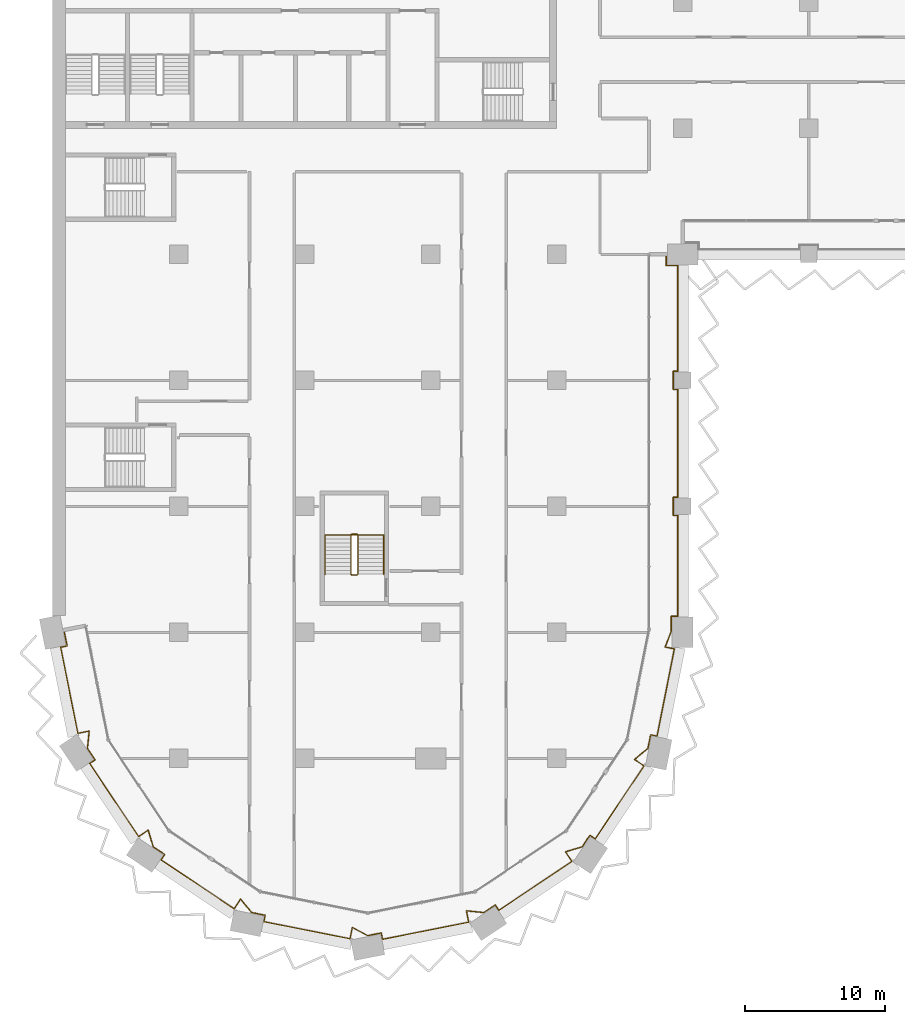
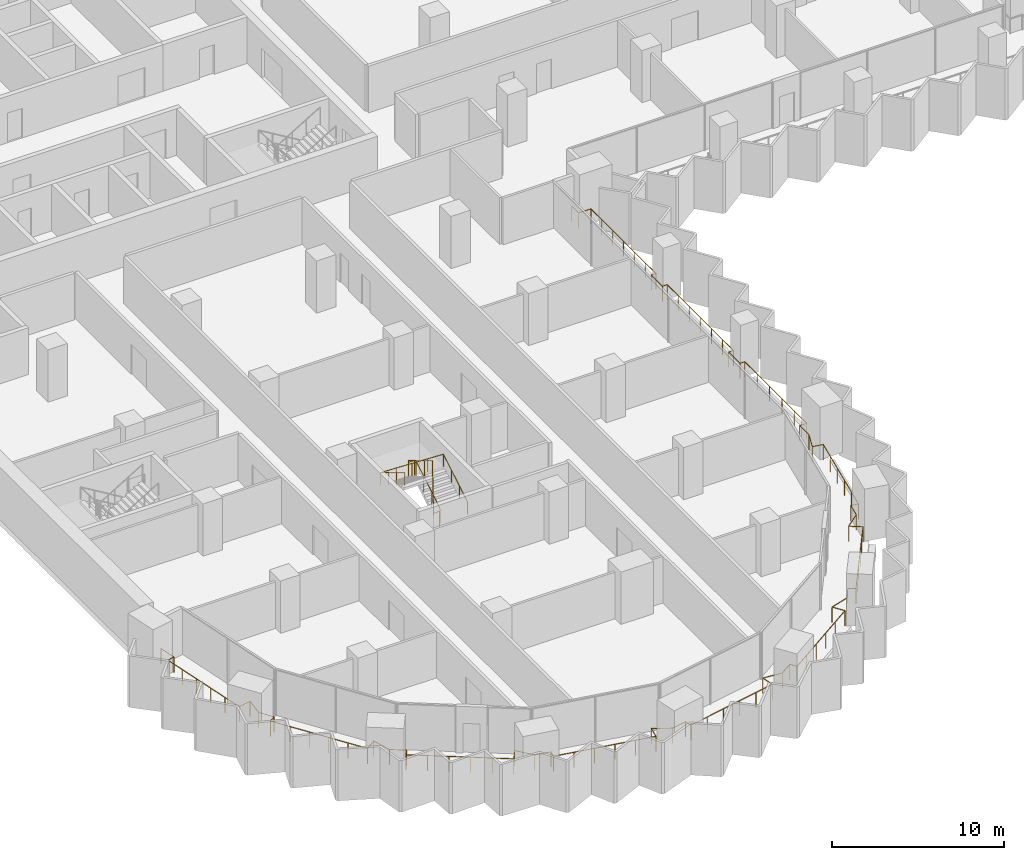
# One storey, part 19 of 22: 3 railings.
"""IFC4 building model written with IfcOpenShell, lengths in metres."""

from ifc_helpers import new_model, si_unit, direction, frame, origin, origin_2d, place, context, subcontext, project, spatial, circle, extrude, material, type_object, element, save


model = new_model("IFC4")

# Units and contexts
model_context = context("Model", 3, precision=1e-05, world=origin(), true_north=direction((0.0, 1.0)))
body_context = subcontext(model_context, "Body", "Model", "MODEL_VIEW")
ifc_project = project(units=[si_unit("LENGTHUNIT", "METRE"), si_unit("AREAUNIT", "SQUARE_METRE"), si_unit("VOLUMEUNIT", "CUBIC_METRE"), si_unit("PLANEANGLEUNIT", "RADIAN"), si_unit("MASSUNIT", "GRAM", prefix="KILO")], contexts=[model_context])

# Site, building, storey
site_placement = place(None, origin())
site = spatial("IfcSite", under=ifc_project, at=site_placement, CompositionType="ELEMENT")
building_placement = place(site_placement, origin())
building = spatial("IfcBuilding", under=site, at=building_placement, Name="Hunhe Ridgeline Campus", CompositionType="ELEMENT")
storey_placement = place(building_placement, frame((0.0, 0.0, 118.10009765625)))
storey = spatial("IfcBuildingStorey", under=building, at=storey_placement, Name="L29", CompositionType="ELEMENT", Elevation=118.10009765625)

# Railings
ifc_material_1 = material(Name="Steel Q355", Category="steel")
railing_type_1 = type_object("IfcRailingType", Name="Loggia guard 1100 Steel Q355", PredefinedType="GUARDRAIL", material=ifc_material_1)
railing_1_placement = place(storey_placement, frame((0.80419921875, 27.159912109375, 0.0)))
element("IfcRailing", 1, at=railing_1_placement, inside=storey, type_object=railing_type_1, Name="Loggia guard 1", PredefinedType="GUARDRAIL", context=body_context, shape_type="SweptSolid", body=[
    extrude(circle(Radius=0.02392578125, at=origin_2d()), frame((0.0, 0.0, 1.076171875), z_axis=(0.195095399255, -0.980784270464, 0.0), x_axis=(0.980784270464, 0.195095399255, 0.0)), (0.0, 0.0, 1.0), 1.150146484375),
    extrude(circle(Radius=0.02392578125, at=origin_2d()), frame((0.224365234375, -1.1279296875, 1.076171875), z_axis=(-0.980839571814, -0.194817181902, 0.0), x_axis=(0.194817181902, -0.980839571814, 0.0)), (0.0, 0.0, 1.0), 0.469970703125),
    extrude(circle(Radius=0.02392578125, at=origin_2d()), frame((-0.236572265625, -1.219482421875, 1.076171875), z_axis=(0.195091122585, -0.98078512116, 0.0), x_axis=(0.98078512116, 0.195091122585, 0.0)), (0.0, 0.0, 1.0), 6.27587890625),
    extrude(circle(Radius=0.02392578125, at=origin_2d()), frame((0.98779296875, -7.374755859375, 1.076171875), z_axis=(0.980805242724, 0.194989937807, 0.0), x_axis=(-0.194989937807, 0.980805242724, 0.0)), (0.0, 0.0, 1.0), 0.833984375),
    extrude(circle(Radius=0.02392578125, at=origin_2d()), frame((1.8056640625, -7.212158203125, 1.076171875), z_axis=(-0.10024174874, -0.994963110778, 0.0), x_axis=(0.994963110778, -0.10024174874, 0.0)), (0.0, 0.0, 1.0), 1.24462890625),
    extrude(circle(Radius=0.02392578125, at=origin_2d()), frame((1.680908203125, -8.450439453125, 1.076171875), z_axis=(0.555613261421, -0.831440860034, 0.0), x_axis=(0.831440860034, 0.555613261421, 0.0)), (0.0, 0.0, 1.0), 0.98681640625),
    extrude(circle(Radius=0.02392578125, at=origin_2d()), frame((2.229248046875, -9.27099609375, 1.076171875), z_axis=(-0.831650496226, -0.55529942565, 0.0), x_axis=(0.55529942565, -0.831650496226, 0.0)), (0.0, 0.0, 1.0), 0.469970703125),
    extrude(circle(Radius=0.02392578125, at=origin_2d()), frame((1.83837890625, -9.531982421875, 1.076171875), z_axis=(0.55555274607, -0.831481296443, 0.0), x_axis=(0.831481296443, 0.55555274607, 0.0)), (0.0, 0.0, 1.0), 6.27587890625),
    extrude(circle(Radius=0.02392578125, at=origin_2d()), frame((5.324951171875, -14.750244140625, 1.076171875), z_axis=(0.831419211319, 0.555645656016, 0.0), x_axis=(-0.555645656016, 0.831419211319, 0.0)), (0.0, 0.0, 1.0), 0.833984375),
    extrude(circle(Radius=0.02392578125, at=origin_2d()), frame((6.018310546875, -14.286865234375, 1.076171875), z_axis=(0.288373576958, -0.957517979002, 0.0), x_axis=(0.957517979002, 0.288373576958, 0.0)), (0.0, 0.0, 1.0), 1.24462890625),
    extrude(circle(Radius=0.02392578125, at=origin_2d()), frame((6.377197265625, -15.478515625, 1.076171875), z_axis=(0.831440860034, -0.555613261421, 0.0), x_axis=(0.555613261421, 0.831440860034, 0.0)), (0.0, 0.0, 1.0), 0.98681640625),
    extrude(circle(Radius=0.02392578125, at=origin_2d()), frame((7.19775390625, -16.02685546875, 1.076171875), z_axis=(-0.555658548717, -0.831410594856, 0.0), x_axis=(0.831410594856, -0.555658548717, 0.0)), (0.0, 0.0, 1.0), 0.47021484375),
    extrude(circle(Radius=0.02392578125, at=origin_2d()), frame((6.9365234375, -16.417724609375, 1.076171875), z_axis=(0.831469289337, -0.555570716372, 0.0), x_axis=(0.555570716372, 0.831469289337, 0.0)), (0.0, 0.0, 1.0), 6.275634765625),
    extrude(circle(Radius=0.02392578125, at=origin_2d()), frame((12.154541015625, -19.904296875, 1.076171875), z_axis=(0.555645656016, 0.831419211319, 0.0), x_axis=(-0.831419211319, 0.555645656016, 0.0)), (0.0, 0.0, 1.0), 0.833984375),
    extrude(circle(Radius=0.02392578125, at=origin_2d()), frame((12.617919921875, -19.2109375, 1.076171875), z_axis=(0.632628709191, -0.774455238414, 0.0), x_axis=(0.774455238414, 0.632628709191, 0.0)), (0.0, 0.0, 1.0), 1.24462890625),
    extrude(circle(Radius=0.02392578125, at=origin_2d()), frame((13.4052734375, -20.1748046875, 1.076171875), z_axis=(0.980770488785, -0.195164669773, 0.0), x_axis=(0.195164669773, 0.980770488785, 0.0)), (0.0, 0.0, 1.0), 0.987060546875),
    extrude(circle(Radius=0.02392578125, at=origin_2d()), frame((14.373291015625, -20.367431640625, 1.076171875), z_axis=(-0.195316901017, -0.980740183829, 0.0), x_axis=(0.980740183829, -0.195316901017, 0.0)), (0.0, 0.0, 1.0), 0.469970703125),
    extrude(circle(Radius=0.02392578125, at=origin_2d()), frame((14.281494140625, -20.828369140625, 1.076171875), z_axis=(0.98078512116, -0.195091122585, 0.0), x_axis=(0.195091122585, 0.98078512116, 0.0)), (0.0, 0.0, 1.0), 6.27587890625),
    extrude(circle(Radius=0.02392578125, at=origin_2d()), frame((20.436767578125, -22.052734375, 1.076171875), z_axis=(0.194989937807, 0.980805242724, 0.0), x_axis=(-0.980805242724, 0.194989937807, 0.0)), (0.0, 0.0, 1.0), 0.833984375),
    extrude(circle(Radius=0.02392578125, at=origin_2d()), frame((20.599365234375, -21.23486328125, 1.076171875), z_axis=(0.880980801229, -0.473152013486, 0.0), x_axis=(0.473152013486, 0.880980801229, 0.0)), (0.0, 0.0, 1.0), 1.24462890625),
    extrude(circle(Radius=0.02392578125, at=origin_2d()), frame((21.69580078125, -21.82373046875, 1.076171875), z_axis=(0.98081780924, 0.194926717196, 0.0), x_axis=(-0.194926717196, 0.98081780924, 0.0)), (0.0, 0.0, 1.0), 0.987060546875),
    extrude(circle(Radius=0.02392578125, at=origin_2d()), frame((22.663818359375, -21.63134765625, 1.076171875), z_axis=(0.194817181902, -0.980839571814, 0.0), x_axis=(0.980839571814, 0.194817181902, 0.0)), (0.0, 0.0, 1.0), 0.469970703125),
    extrude(circle(Radius=0.02392578125, at=origin_2d()), frame((22.75537109375, -22.09228515625, 1.076171875), z_axis=(0.98078512116, 0.195091122585, 0.0), x_axis=(-0.195091122585, 0.98078512116, 0.0)), (0.0, 0.0, 1.0), 6.27587890625),
    extrude(circle(Radius=0.02392578125, at=origin_2d()), frame((28.91064453125, -20.867919921875, 1.076171875), z_axis=(-0.194989937807, 0.980805242724, 0.0), x_axis=(-0.980805242724, -0.194989937807, 0.0)), (0.0, 0.0, 1.0), 0.833984375),
    extrude(circle(Radius=0.02392578125, at=origin_2d()), frame((28.748046875, -20.050048828125, 1.076171875), z_axis=(0.994963110778, -0.10024174874, 0.0), x_axis=(0.10024174874, 0.994963110778, 0.0)), (0.0, 0.0, 1.0), 1.24462890625),
    extrude(circle(Radius=0.02392578125, at=origin_2d()), frame((29.986328125, -20.1748046875, 1.076171875), z_axis=(0.831440860034, 0.555613261421, 0.0), x_axis=(-0.555613261421, 0.831440860034, 0.0)), (0.0, 0.0, 1.0), 0.98681640625),
    extrude(circle(Radius=0.02392578125, at=origin_2d()), frame((30.806884765625, -19.62646484375, 1.076171875), z_axis=(0.55529942565, -0.831650496226, 0.0), x_axis=(0.831650496226, 0.55529942565, 0.0)), (0.0, 0.0, 1.0), 0.469970703125),
    extrude(circle(Radius=0.02392578125, at=origin_2d()), frame((31.06787109375, -20.017333984375, 1.076171875), z_axis=(0.831481296443, 0.55555274607, 0.0), x_axis=(-0.55555274607, 0.831481296443, 0.0)), (0.0, 0.0, 1.0), 6.27587890625),
    extrude(circle(Radius=0.02392578125, at=origin_2d()), frame((36.2861328125, -16.53076171875, 1.076171875), z_axis=(-0.555645656016, 0.831419211319, 0.0), x_axis=(-0.831419211319, -0.555645656016, 0.0)), (0.0, 0.0, 1.0), 0.833984375),
    extrude(circle(Radius=0.02392578125, at=origin_2d()), frame((35.82275390625, -15.83740234375, 1.076171875), z_axis=(0.957517979002, 0.288373576958, 0.0), x_axis=(-0.288373576958, 0.957517979002, 0.0)), (0.0, 0.0, 1.0), 1.24462890625),
    extrude(circle(Radius=0.02392578125, at=origin_2d()), frame((37.014404296875, -15.478515625, 1.076171875), z_axis=(0.555613261421, 0.831440860034, 0.0), x_axis=(-0.831440860034, 0.555613261421, 0.0)), (0.0, 0.0, 1.0), 0.98681640625),
    extrude(circle(Radius=0.02392578125, at=origin_2d()), frame((37.562744140625, -14.657958984375, 1.076171875), z_axis=(0.831410594856, -0.555658548717, 0.0), x_axis=(0.555658548717, 0.831410594856, 0.0)), (0.0, 0.0, 1.0), 0.47021484375),
    extrude(circle(Radius=0.02392578125, at=origin_2d()), frame((37.95361328125, -14.919189453125, 1.076171875), z_axis=(0.555570716372, 0.831469289337, 0.0), x_axis=(-0.831469289337, 0.555570716372, 0.0)), (0.0, 0.0, 1.0), 6.275634765625),
    extrude(circle(Radius=0.02392578125, at=origin_2d()), frame((41.440185546875, -9.701171875, 1.076171875), z_axis=(-0.831419211319, 0.555645656016, 0.0), x_axis=(-0.555645656016, -0.831419211319, 0.0)), (0.0, 0.0, 1.0), 0.833984375),
    extrude(circle(Radius=0.02392578125, at=origin_2d()), frame((40.746826171875, -9.23779296875, 1.076171875), z_axis=(0.774455238414, 0.632628709191, 0.0), x_axis=(-0.632628709191, 0.774455238414, 0.0)), (0.0, 0.0, 1.0), 1.24462890625),
    extrude(circle(Radius=0.02392578125, at=origin_2d()), frame((41.710693359375, -8.450439453125, 1.076171875), z_axis=(0.195164669773, 0.980770488785, 0.0), x_axis=(-0.980770488785, 0.195164669773, 0.0)), (0.0, 0.0, 1.0), 0.987060546875),
    extrude(circle(Radius=0.02392578125, at=origin_2d()), frame((41.9033203125, -7.482421875, 1.076171875), z_axis=(0.980740183829, -0.195316901017, 0.0), x_axis=(0.195316901017, 0.980740183829, 0.0)), (0.0, 0.0, 1.0), 0.469970703125),
    extrude(circle(Radius=0.02392578125, at=origin_2d()), frame((42.3642578125, -7.57421875, 1.076171875), z_axis=(0.195074166836, 0.98078849373, 0.0), x_axis=(-0.98078849373, 0.195074166836, 0.0)), (0.0, 0.0, 1.0), 6.35400390625),
    extrude(circle(Radius=0.02392578125, at=origin_2d()), frame((43.603759765625, -1.34228515625, 1.076171875), z_axis=(-0.980818178173, 0.194924860818, 0.0), x_axis=(-0.194924860818, -0.980818178173, 0.0)), (0.0, 0.0, 1.0), 0.670166015625),
    extrude(circle(Radius=0.02392578125, at=origin_2d()), frame((42.946533203125, -1.211669921875, 1.076171875), z_axis=(0.354368618256, 0.935105813475, 0.0), x_axis=(-0.935105813475, 0.354368618256, 0.0)), (0.0, 0.0, 1.0), 1.211181640625),
    extrude(circle(Radius=0.02392578125, at=origin_2d()), frame((43.375732421875, -0.0791015625, 1.076171875), z_axis=(0.0, 1.0, 0.0), x_axis=(-1.0, 0.0, 0.0)), (0.0, 0.0, 1.0), 1.069091796875),
    extrude(circle(Radius=0.02392578125, at=origin_2d()), frame((43.375732421875, 0.989990234375, 1.076171875), z_axis=(1.0, 0.0, 0.0), x_axis=(0.0, 1.0, 0.0)), (0.0, 0.0, 1.0), 0.469970703125),
    extrude(circle(Radius=0.02392578125, at=origin_2d()), frame((43.845703125, 0.989990234375, 1.076171875), z_axis=(0.0, 1.0, 0.0), x_axis=(-1.0, 0.0, 0.0)), (0.0, 0.0, 1.0), 7.2001953125),
    extrude(circle(Radius=0.02392578125, at=origin_2d()), frame((43.845703125, 8.190185546875, 1.076171875), z_axis=(-1.0, 0.0, 0.0), x_axis=(0.0, -1.0, 0.0)), (0.0, 0.0, 1.0), 0.31982421875),
    extrude(circle(Radius=0.02392578125, at=origin_2d()), frame((43.52587890625, 8.190185546875, 1.076171875), z_axis=(0.0, 1.0, 0.0), x_axis=(-1.0, 0.0, 0.0)), (0.0, 0.0, 1.0), 1.2998046875),
    extrude(circle(Radius=0.02392578125, at=origin_2d()), frame((43.52587890625, 9.489990234375, 1.076171875), z_axis=(1.0, 0.0, 0.0), x_axis=(0.0, 1.0, 0.0)), (0.0, 0.0, 1.0), 0.31982421875),
    extrude(circle(Radius=0.02392578125, at=origin_2d()), frame((43.845703125, 9.489990234375, 1.076171875), z_axis=(0.0, 1.0, 0.0), x_axis=(-1.0, 0.0, 0.0)), (0.0, 0.0, 1.0), 7.7001953125),
    extrude(circle(Radius=0.02392578125, at=origin_2d()), frame((43.845703125, 17.190185546875, 1.076171875), z_axis=(-1.0, 0.0, 0.0), x_axis=(0.0, -1.0, 0.0)), (0.0, 0.0, 1.0), 0.31982421875),
    extrude(circle(Radius=0.02392578125, at=origin_2d()), frame((43.52587890625, 17.190185546875, 1.076171875), z_axis=(0.0, 1.0, 0.0), x_axis=(-1.0, 0.0, 0.0)), (0.0, 0.0, 1.0), 1.2998046875),
    extrude(circle(Radius=0.02392578125, at=origin_2d()), frame((43.52587890625, 18.489990234375, 1.076171875), z_axis=(1.0, 0.0, 0.0), x_axis=(0.0, 1.0, 0.0)), (0.0, 0.0, 1.0), 0.31982421875),
    extrude(circle(Radius=0.02392578125, at=origin_2d()), frame((43.845703125, 18.489990234375, 1.076171875), z_axis=(0.0, 1.0, 0.0), x_axis=(-1.0, 0.0, 0.0)), (0.0, 0.0, 1.0), 7.550048828125),
    extrude(circle(Radius=0.02392578125, at=origin_2d()), frame((43.845703125, 26.0400390625, 1.076171875), z_axis=(-1.0, 0.0, 0.0), x_axis=(0.0, -1.0, 0.0)), (0.0, 0.0, 1.0), 0.81982421875),
    extrude(circle(Radius=0.02392578125, at=origin_2d()), frame((43.02587890625, 26.0400390625, 1.076171875), z_axis=(0.0, 1.0, 0.0), x_axis=(-1.0, 0.0, 0.0)), (0.0, 0.0, 1.0), 0.800048828125),
    extrude(circle(Radius=0.02099609375, at=origin_2d()), origin(), (0.0, 0.0, 1.0), 1.052001953125),
    extrude(circle(Radius=0.02099609375, at=origin_2d()), frame((0.224365234375, -1.1279296875, 0.0)), (0.0, 0.0, 1.0), 1.052001953125),
    extrude(circle(Radius=0.02099609375, at=origin_2d()), frame((-0.236572265625, -1.219482421875, 0.0)), (0.0, 0.0, 1.0), 1.052001953125),
    extrude(circle(Radius=0.02099609375, at=origin_2d()), frame((0.00830078125, -2.450439453125, 0.0)), (0.0, 0.0, 1.0), 1.052001953125),
    extrude(circle(Radius=0.02099609375, at=origin_2d()), frame((0.253173828125, -3.681640625, 0.0)), (0.0, 0.0, 1.0), 1.052001953125),
    extrude(circle(Radius=0.02099609375, at=origin_2d()), frame((0.498046875, -4.91259765625, 0.0)), (0.0, 0.0, 1.0), 1.052001953125),
    extrude(circle(Radius=0.02099609375, at=origin_2d()), frame((0.742919921875, -6.143798828125, 0.0)), (0.0, 0.0, 1.0), 1.052001953125),
    extrude(circle(Radius=0.02099609375, at=origin_2d()), frame((0.98779296875, -7.374755859375, 0.0)), (0.0, 0.0, 1.0), 1.052001953125),
    extrude(circle(Radius=0.02099609375, at=origin_2d()), frame((1.8056640625, -7.212158203125, 0.0)), (0.0, 0.0, 1.0), 1.052001953125),
    extrude(circle(Radius=0.02099609375, at=origin_2d()), frame((1.680908203125, -8.450439453125, 0.0)), (0.0, 0.0, 1.0), 1.052001953125),
    extrude(circle(Radius=0.02099609375, at=origin_2d()), frame((2.229248046875, -9.27099609375, 0.0)), (0.0, 0.0, 1.0), 1.052001953125),
    extrude(circle(Radius=0.02099609375, at=origin_2d()), frame((1.83837890625, -9.531982421875, 0.0)), (0.0, 0.0, 1.0), 1.052001953125),
    extrude(circle(Radius=0.02099609375, at=origin_2d()), frame((2.53564453125, -10.57568359375, 0.0)), (0.0, 0.0, 1.0), 1.052001953125),
    extrude(circle(Radius=0.02099609375, at=origin_2d()), frame((3.23291015625, -11.619384765625, 0.0)), (0.0, 0.0, 1.0), 1.052001953125),
    extrude(circle(Radius=0.02099609375, at=origin_2d()), frame((3.930419921875, -12.662841796875, 0.0)), (0.0, 0.0, 1.0), 1.052001953125),
    extrude(circle(Radius=0.02099609375, at=origin_2d()), frame((4.627685546875, -13.70654296875, 0.0)), (0.0, 0.0, 1.0), 1.052001953125),
    extrude(circle(Radius=0.02099609375, at=origin_2d()), frame((5.324951171875, -14.750244140625, 0.0)), (0.0, 0.0, 1.0), 1.052001953125),
    extrude(circle(Radius=0.02099609375, at=origin_2d()), frame((6.018310546875, -14.286865234375, 0.0)), (0.0, 0.0, 1.0), 1.052001953125),
    extrude(circle(Radius=0.02099609375, at=origin_2d()), frame((6.377197265625, -15.478515625, 0.0)), (0.0, 0.0, 1.0), 1.052001953125),
    extrude(circle(Radius=0.02099609375, at=origin_2d()), frame((7.19775390625, -16.02685546875, 0.0)), (0.0, 0.0, 1.0), 1.052001953125),
    extrude(circle(Radius=0.02099609375, at=origin_2d()), frame((6.9365234375, -16.417724609375, 0.0)), (0.0, 0.0, 1.0), 1.052001953125),
    extrude(circle(Radius=0.02099609375, at=origin_2d()), frame((7.980224609375, -17.114990234375, 0.0)), (0.0, 0.0, 1.0), 1.052001953125),
    extrude(circle(Radius=0.02099609375, at=origin_2d()), frame((9.023681640625, -17.812255859375, 0.0)), (0.0, 0.0, 1.0), 1.052001953125),
    extrude(circle(Radius=0.02099609375, at=origin_2d()), frame((10.0673828125, -18.509765625, 0.0)), (0.0, 0.0, 1.0), 1.052001953125),
    extrude(circle(Radius=0.02099609375, at=origin_2d()), frame((11.11083984375, -19.20703125, 0.0)), (0.0, 0.0, 1.0), 1.052001953125),
    extrude(circle(Radius=0.02099609375, at=origin_2d()), frame((12.154541015625, -19.904296875, 0.0)), (0.0, 0.0, 1.0), 1.052001953125),
    extrude(circle(Radius=0.02099609375, at=origin_2d()), frame((12.617919921875, -19.2109375, 0.0)), (0.0, 0.0, 1.0), 1.052001953125),
    extrude(circle(Radius=0.02099609375, at=origin_2d()), frame((13.4052734375, -20.1748046875, 0.0)), (0.0, 0.0, 1.0), 1.052001953125),
    extrude(circle(Radius=0.02099609375, at=origin_2d()), frame((14.373291015625, -20.367431640625, 0.0)), (0.0, 0.0, 1.0), 1.052001953125),
    extrude(circle(Radius=0.02099609375, at=origin_2d()), frame((14.281494140625, -20.828369140625, 0.0)), (0.0, 0.0, 1.0), 1.052001953125),
    extrude(circle(Radius=0.02099609375, at=origin_2d()), frame((15.512451171875, -21.0732421875, 0.0)), (0.0, 0.0, 1.0), 1.052001953125),
    extrude(circle(Radius=0.02099609375, at=origin_2d()), frame((16.74365234375, -21.318115234375, 0.0)), (0.0, 0.0, 1.0), 1.052001953125),
    extrude(circle(Radius=0.02099609375, at=origin_2d()), frame((17.974609375, -21.56298828125, 0.0)), (0.0, 0.0, 1.0), 1.052001953125),
    extrude(circle(Radius=0.02099609375, at=origin_2d()), frame((19.205810546875, -21.807861328125, 0.0)), (0.0, 0.0, 1.0), 1.052001953125),
    extrude(circle(Radius=0.02099609375, at=origin_2d()), frame((20.436767578125, -22.052734375, 0.0)), (0.0, 0.0, 1.0), 1.052001953125),
    extrude(circle(Radius=0.02099609375, at=origin_2d()), frame((20.599365234375, -21.23486328125, 0.0)), (0.0, 0.0, 1.0), 1.052001953125),
    extrude(circle(Radius=0.02099609375, at=origin_2d()), frame((21.69580078125, -21.82373046875, 0.0)), (0.0, 0.0, 1.0), 1.052001953125),
    extrude(circle(Radius=0.02099609375, at=origin_2d()), frame((22.663818359375, -21.63134765625, 0.0)), (0.0, 0.0, 1.0), 1.052001953125),
    extrude(circle(Radius=0.02099609375, at=origin_2d()), frame((22.75537109375, -22.09228515625, 0.0)), (0.0, 0.0, 1.0), 1.052001953125),
    extrude(circle(Radius=0.02099609375, at=origin_2d()), frame((23.986328125, -21.847412109375, 0.0)), (0.0, 0.0, 1.0), 1.052001953125),
    extrude(circle(Radius=0.02099609375, at=origin_2d()), frame((25.217529296875, -21.6025390625, 0.0)), (0.0, 0.0, 1.0), 1.052001953125),
    extrude(circle(Radius=0.02099609375, at=origin_2d()), frame((26.448486328125, -21.357666015625, 0.0)), (0.0, 0.0, 1.0), 1.052001953125),
    extrude(circle(Radius=0.02099609375, at=origin_2d()), frame((27.6796875, -21.11279296875, 0.0)), (0.0, 0.0, 1.0), 1.052001953125),
    extrude(circle(Radius=0.02099609375, at=origin_2d()), frame((28.91064453125, -20.867919921875, 0.0)), (0.0, 0.0, 1.0), 1.052001953125),
    extrude(circle(Radius=0.02099609375, at=origin_2d()), frame((28.748046875, -20.050048828125, 0.0)), (0.0, 0.0, 1.0), 1.052001953125),
    extrude(circle(Radius=0.02099609375, at=origin_2d()), frame((29.986328125, -20.1748046875, 0.0)), (0.0, 0.0, 1.0), 1.052001953125),
    extrude(circle(Radius=0.02099609375, at=origin_2d()), frame((30.806884765625, -19.62646484375, 0.0)), (0.0, 0.0, 1.0), 1.052001953125),
    extrude(circle(Radius=0.02099609375, at=origin_2d()), frame((31.06787109375, -20.017333984375, 0.0)), (0.0, 0.0, 1.0), 1.052001953125),
    extrude(circle(Radius=0.02099609375, at=origin_2d()), frame((32.111572265625, -19.320068359375, 0.0)), (0.0, 0.0, 1.0), 1.052001953125),
    extrude(circle(Radius=0.02099609375, at=origin_2d()), frame((33.1552734375, -18.622802734375, 0.0)), (0.0, 0.0, 1.0), 1.052001953125),
    extrude(circle(Radius=0.02099609375, at=origin_2d()), frame((34.19873046875, -17.92529296875, 0.0)), (0.0, 0.0, 1.0), 1.052001953125),
    extrude(circle(Radius=0.02099609375, at=origin_2d()), frame((35.242431640625, -17.22802734375, 0.0)), (0.0, 0.0, 1.0), 1.052001953125),
    extrude(circle(Radius=0.02099609375, at=origin_2d()), frame((36.2861328125, -16.53076171875, 0.0)), (0.0, 0.0, 1.0), 1.052001953125),
    extrude(circle(Radius=0.02099609375, at=origin_2d()), frame((35.82275390625, -15.83740234375, 0.0)), (0.0, 0.0, 1.0), 1.052001953125),
    extrude(circle(Radius=0.02099609375, at=origin_2d()), frame((37.014404296875, -15.478515625, 0.0)), (0.0, 0.0, 1.0), 1.052001953125),
    extrude(circle(Radius=0.02099609375, at=origin_2d()), frame((37.562744140625, -14.657958984375, 0.0)), (0.0, 0.0, 1.0), 1.052001953125),
    extrude(circle(Radius=0.02099609375, at=origin_2d()), frame((37.95361328125, -14.919189453125, 0.0)), (0.0, 0.0, 1.0), 1.052001953125),
    extrude(circle(Radius=0.02099609375, at=origin_2d()), frame((38.65087890625, -13.87548828125, 0.0)), (0.0, 0.0, 1.0), 1.052001953125),
    extrude(circle(Radius=0.02099609375, at=origin_2d()), frame((39.34814453125, -12.83203125, 0.0)), (0.0, 0.0, 1.0), 1.052001953125),
    extrude(circle(Radius=0.02099609375, at=origin_2d()), frame((40.045654296875, -11.788330078125, 0.0)), (0.0, 0.0, 1.0), 1.052001953125),
    extrude(circle(Radius=0.02099609375, at=origin_2d()), frame((40.742919921875, -10.744873046875, 0.0)), (0.0, 0.0, 1.0), 1.052001953125),
    extrude(circle(Radius=0.02099609375, at=origin_2d()), frame((41.440185546875, -9.701171875, 0.0)), (0.0, 0.0, 1.0), 1.052001953125),
    extrude(circle(Radius=0.02099609375, at=origin_2d()), frame((40.746826171875, -9.23779296875, 0.0)), (0.0, 0.0, 1.0), 1.052001953125),
    extrude(circle(Radius=0.02099609375, at=origin_2d()), frame((41.710693359375, -8.450439453125, 0.0)), (0.0, 0.0, 1.0), 1.052001953125),
    extrude(circle(Radius=0.02099609375, at=origin_2d()), frame((41.9033203125, -7.482421875, 0.0)), (0.0, 0.0, 1.0), 1.052001953125),
    extrude(circle(Radius=0.02099609375, at=origin_2d()), frame((42.3642578125, -7.57421875, 0.0)), (0.0, 0.0, 1.0), 1.052001953125),
    extrude(circle(Radius=0.02099609375, at=origin_2d()), frame((42.612060546875, -6.327880859375, 0.0)), (0.0, 0.0, 1.0), 1.052001953125),
    extrude(circle(Radius=0.02099609375, at=origin_2d()), frame((42.860107421875, -5.08154296875, 0.0)), (0.0, 0.0, 1.0), 1.052001953125),
    extrude(circle(Radius=0.02099609375, at=origin_2d()), frame((43.10791015625, -3.8349609375, 0.0)), (0.0, 0.0, 1.0), 1.052001953125),
    extrude(circle(Radius=0.02099609375, at=origin_2d()), frame((43.35595703125, -2.588623046875, 0.0)), (0.0, 0.0, 1.0), 1.052001953125),
    extrude(circle(Radius=0.02099609375, at=origin_2d()), frame((43.603759765625, -1.34228515625, 0.0)), (0.0, 0.0, 1.0), 1.052001953125),
    extrude(circle(Radius=0.02099609375, at=origin_2d()), frame((42.946533203125, -1.211669921875, 0.0)), (0.0, 0.0, 1.0), 1.052001953125),
    extrude(circle(Radius=0.02099609375, at=origin_2d()), frame((43.375732421875, -0.0791015625, 0.0)), (0.0, 0.0, 1.0), 1.052001953125),
    extrude(circle(Radius=0.02099609375, at=origin_2d()), frame((43.375732421875, 0.989990234375, 0.0)), (0.0, 0.0, 1.0), 1.052001953125),
    extrude(circle(Radius=0.02099609375, at=origin_2d()), frame((43.845703125, 0.989990234375, 0.0)), (0.0, 0.0, 1.0), 1.052001953125),
    extrude(circle(Radius=0.02099609375, at=origin_2d()), frame((43.845703125, 2.429931640625, 0.0)), (0.0, 0.0, 1.0), 1.052001953125),
    extrude(circle(Radius=0.02099609375, at=origin_2d()), frame((43.845703125, 3.8701171875, 0.0)), (0.0, 0.0, 1.0), 1.052001953125),
    extrude(circle(Radius=0.02099609375, at=origin_2d()), frame((43.845703125, 5.31005859375, 0.0)), (0.0, 0.0, 1.0), 1.052001953125),
    extrude(circle(Radius=0.02099609375, at=origin_2d()), frame((43.845703125, 6.750244140625, 0.0)), (0.0, 0.0, 1.0), 1.052001953125),
    extrude(circle(Radius=0.02099609375, at=origin_2d()), frame((43.845703125, 8.190185546875, 0.0)), (0.0, 0.0, 1.0), 1.052001953125),
    extrude(circle(Radius=0.02099609375, at=origin_2d()), frame((43.52587890625, 8.190185546875, 0.0)), (0.0, 0.0, 1.0), 1.052001953125),
    extrude(circle(Radius=0.02099609375, at=origin_2d()), frame((43.52587890625, 9.489990234375, 0.0)), (0.0, 0.0, 1.0), 1.052001953125),
    extrude(circle(Radius=0.02099609375, at=origin_2d()), frame((43.845703125, 9.489990234375, 0.0)), (0.0, 0.0, 1.0), 1.052001953125),
    extrude(circle(Radius=0.02099609375, at=origin_2d()), frame((43.845703125, 10.7734375, 0.0)), (0.0, 0.0, 1.0), 1.052001953125),
    extrude(circle(Radius=0.02099609375, at=origin_2d()), frame((43.845703125, 12.056640625, 0.0)), (0.0, 0.0, 1.0), 1.052001953125),
    extrude(circle(Radius=0.02099609375, at=origin_2d()), frame((43.845703125, 13.340087890625, 0.0)), (0.0, 0.0, 1.0), 1.052001953125),
    extrude(circle(Radius=0.02099609375, at=origin_2d()), frame((43.845703125, 14.62353515625, 0.0)), (0.0, 0.0, 1.0), 1.052001953125),
    extrude(circle(Radius=0.02099609375, at=origin_2d()), frame((43.845703125, 15.90673828125, 0.0)), (0.0, 0.0, 1.0), 1.052001953125),
    extrude(circle(Radius=0.02099609375, at=origin_2d()), frame((43.845703125, 17.190185546875, 0.0)), (0.0, 0.0, 1.0), 1.052001953125),
    extrude(circle(Radius=0.02099609375, at=origin_2d()), frame((43.52587890625, 17.190185546875, 0.0)), (0.0, 0.0, 1.0), 1.052001953125),
    extrude(circle(Radius=0.02099609375, at=origin_2d()), frame((43.52587890625, 18.489990234375, 0.0)), (0.0, 0.0, 1.0), 1.052001953125),
    extrude(circle(Radius=0.02099609375, at=origin_2d()), frame((43.845703125, 18.489990234375, 0.0)), (0.0, 0.0, 1.0), 1.052001953125),
    extrude(circle(Radius=0.02099609375, at=origin_2d()), frame((43.845703125, 19.748291015625, 0.0)), (0.0, 0.0, 1.0), 1.052001953125),
    extrude(circle(Radius=0.02099609375, at=origin_2d()), frame((43.845703125, 21.006591796875, 0.0)), (0.0, 0.0, 1.0), 1.052001953125),
    extrude(circle(Radius=0.02099609375, at=origin_2d()), frame((43.845703125, 22.26513671875, 0.0)), (0.0, 0.0, 1.0), 1.052001953125),
    extrude(circle(Radius=0.02099609375, at=origin_2d()), frame((43.845703125, 23.5234375, 0.0)), (0.0, 0.0, 1.0), 1.052001953125),
    extrude(circle(Radius=0.02099609375, at=origin_2d()), frame((43.845703125, 24.78173828125, 0.0)), (0.0, 0.0, 1.0), 1.052001953125),
    extrude(circle(Radius=0.02099609375, at=origin_2d()), frame((43.845703125, 26.0400390625, 0.0)), (0.0, 0.0, 1.0), 1.052001953125),
    extrude(circle(Radius=0.02099609375, at=origin_2d()), frame((43.02587890625, 26.0400390625, 0.0)), (0.0, 0.0, 1.0), 1.052001953125),
    extrude(circle(Radius=0.02099609375, at=origin_2d()), frame((43.02587890625, 26.840087890625, 0.0)), (0.0, 0.0, 1.0), 1.052001953125),
])
ifc_material_2 = material(Name="Stainless steel balustrade", Category="steel")
railing_type_2 = type_object("IfcRailingType", Name="Stair guard 1100 stainless", PredefinedType="GUARDRAIL", material=ifc_material_2)
railing_2_placement = place(storey_placement, frame((21.800048828125, 31.14990234375, 0.16796875)))
element("IfcRailing", 2, at=railing_2_placement, inside=storey, type_object=railing_type_2, Name="L29 stair W3 guard", PredefinedType="GUARDRAIL", context=body_context, shape_type="SweptSolid", body=[
    extrude(circle(Radius=0.02392578125, at=origin_2d()), frame((0.0, 0.0, 1.076171875), z_axis=(0.0, 0.857242210791, 0.514913383045), x_axis=(-1.0, 0.0, 0.0)), (0.0, 0.0, 1.0), 3.266357421875),
    extrude(circle(Radius=0.02392578125, at=origin_2d()), frame((0.0, 2.800048828125, 2.7578125), z_axis=(-0.707106781187, 0.707106781187, 0.0), x_axis=(-0.707106781187, -0.707106781187, 0.0)), (0.0, 0.0, 1.0), 0.07080078125),
    extrude(circle(Radius=0.02392578125, at=origin_2d()), frame((-0.050048828125, 2.85009765625, 2.7578125), z_axis=(-1.0, 0.0, 0.0), x_axis=(0.0, -1.0, 0.0)), (0.0, 0.0, 1.0), 0.39990234375),
    extrude(circle(Radius=0.02392578125, at=origin_2d()), frame((-0.449951171875, 2.85009765625, 2.7578125), z_axis=(-0.274243871929, -0.274243871929, 0.92172696468), x_axis=(0.707106781187, -0.707106781187, 0.0)), (0.0, 0.0, 1.0), 0.1826171875),
    extrude(circle(Radius=0.02392578125, at=origin_2d()), frame((-0.5, 2.800048828125, 2.92626953125), z_axis=(0.0, -0.857242210791, 0.514913383045), x_axis=(1.0, 0.0, 0.0)), (0.0, 0.0, 1.0), 3.266357421875),
    extrude(circle(Radius=0.02392578125, at=origin_2d()), frame((-0.5, 0.0, 4.60791015625), z_axis=(0.013524426427, -0.013458453615, -0.999817963389), x_axis=(0.705375805398, 0.708833529934, 0.0)), (0.0, 0.0, 1.0), 3.70068359375),
    extrude(circle(Radius=0.02392578125, at=origin_2d()), frame((-0.449951171875, -0.0498046875, 0.908203125), z_axis=(1.0, 0.0, 0.0), x_axis=(0.0, 1.0, 0.0)), (0.0, 0.0, 1.0), 0.39990234375),
    extrude(circle(Radius=0.02099609375, at=origin_2d()), origin(), (0.0, 0.0, 1.0), 1.052001953125),
    extrude(circle(Radius=0.02099609375, at=origin_2d()), frame((0.0, 0.933349609375, 0.560546875)), (0.0, 0.0, 1.0), 1.052001953125),
    extrude(circle(Radius=0.02099609375, at=origin_2d()), frame((0.0, 1.86669921875, 1.121337890625)), (0.0, 0.0, 1.0), 1.052001953125),
    extrude(circle(Radius=0.02099609375, at=origin_2d()), frame((0.0, 2.800048828125, 1.681884765625)), (0.0, 0.0, 1.0), 1.052001953125),
    extrude(circle(Radius=0.02099609375, at=origin_2d()), frame((-0.050048828125, 2.85009765625, 1.681884765625)), (0.0, 0.0, 1.0), 1.052001953125),
    extrude(circle(Radius=0.02099609375, at=origin_2d()), frame((-0.449951171875, 2.85009765625, 1.681884765625)), (0.0, 0.0, 1.0), 1.052001953125),
    extrude(circle(Radius=0.02099609375, at=origin_2d()), frame((-0.5, 2.800048828125, 1.85009765625)), (0.0, 0.0, 1.0), 1.052001953125),
    extrude(circle(Radius=0.02099609375, at=origin_2d()), frame((-0.5, 1.86669921875, 2.41064453125)), (0.0, 0.0, 1.0), 1.052001953125),
    extrude(circle(Radius=0.02099609375, at=origin_2d()), frame((-0.5, 0.933349609375, 2.971435546875)), (0.0, 0.0, 1.0), 1.052001953125),
    extrude(circle(Radius=0.02099609375, at=origin_2d()), frame((-0.5, 0.0, 3.531982421875)), (0.0, 0.0, 1.0), 1.052001953125),
    extrude(circle(Radius=0.02099609375, at=origin_2d()), frame((-0.487548828125, -0.012451171875, 2.60693359375)), (0.0, 0.0, 1.0), 1.052001953125),
    extrude(circle(Radius=0.02099609375, at=origin_2d()), frame((-0.47509765625, -0.02490234375, 1.68212890625)), (0.0, 0.0, 1.0), 1.052001953125),
    extrude(circle(Radius=0.02099609375, at=origin_2d()), frame((-0.46240234375, -0.037353515625, 0.757080078125)), (0.0, 0.0, 1.0), 1.052001953125),
    extrude(circle(Radius=0.02099609375, at=origin_2d()), frame((-0.449951171875, -0.0498046875, -0.16796875)), (0.0, 0.0, 1.0), 1.052001953125),
    extrude(circle(Radius=0.02099609375, at=origin_2d()), frame((-0.050048828125, -0.0498046875, -0.16796875)), (0.0, 0.0, 1.0), 1.052001953125),
])
ifc_material_3 = material(Name="Stainless steel handrail", Category="steel")
railing_type_3 = type_object("IfcRailingType", Name="Stair handrail 900 stainless", PredefinedType="HANDRAIL", material=ifc_material_3)
railing_3_placement = place(storey_placement, frame((23.64990234375, 31.14990234375, 0.16796875)))
element("IfcRailing", 3, at=railing_3_placement, inside=storey, type_object=railing_type_3, Name="L29 stair W3 handrail", PredefinedType="HANDRAIL", context=body_context, shape_type="SweptSolid", body=[
    extrude(circle(Radius=0.02392578125, at=origin_2d()), frame((0.0, 0.0, 0.8759765625), z_axis=(0.0, 0.857242210791, 0.514913383045), x_axis=(-1.0, 0.0, 0.0)), (0.0, 0.0, 1.0), 3.266357421875),
    extrude(circle(Radius=0.02392578125, at=origin_2d()), frame((0.0, 2.800048828125, 2.5576171875), z_axis=(-0.999198916169, 0.0, 0.040019069537), x_axis=(0.0, -1.0, 0.0)), (0.0, 0.0, 1.0), 4.203369140625),
    extrude(circle(Radius=0.02392578125, at=origin_2d()), frame((-4.199951171875, 2.800048828125, 2.72607421875), z_axis=(0.0, -0.857242210791, 0.514913383045), x_axis=(1.0, 0.0, 0.0)), (0.0, 0.0, 1.0), 3.266357421875),
    extrude(circle(Radius=0.02099609375, at=origin_2d()), origin(), (0.0, 0.0, 1.0), 0.851806640625),
    extrude(circle(Radius=0.02099609375, at=origin_2d()), frame((0.0, 0.933349609375, 0.560546875)), (0.0, 0.0, 1.0), 0.851806640625),
    extrude(circle(Radius=0.02099609375, at=origin_2d()), frame((0.0, 1.86669921875, 1.121337890625)), (0.0, 0.0, 1.0), 0.851806640625),
    extrude(circle(Radius=0.02099609375, at=origin_2d()), frame((0.0, 2.800048828125, 1.681884765625)), (0.0, 0.0, 1.0), 0.851806640625),
    extrude(circle(Radius=0.02099609375, at=origin_2d()), frame((-1.050048828125, 2.800048828125, 1.723876953125)), (0.0, 0.0, 1.0), 0.851806640625),
    extrude(circle(Radius=0.02099609375, at=origin_2d()), frame((-2.10009765625, 2.800048828125, 1.76611328125)), (0.0, 0.0, 1.0), 0.851806640625),
    extrude(circle(Radius=0.02099609375, at=origin_2d()), frame((-3.14990234375, 2.800048828125, 1.80810546875)), (0.0, 0.0, 1.0), 0.851806640625),
    extrude(circle(Radius=0.02099609375, at=origin_2d()), frame((-4.199951171875, 2.800048828125, 1.85009765625)), (0.0, 0.0, 1.0), 0.851806640625),
    extrude(circle(Radius=0.02099609375, at=origin_2d()), frame((-4.199951171875, 1.86669921875, 2.41064453125)), (0.0, 0.0, 1.0), 0.851806640625),
    extrude(circle(Radius=0.02099609375, at=origin_2d()), frame((-4.199951171875, 0.933349609375, 2.971435546875)), (0.0, 0.0, 1.0), 0.851806640625),
    extrude(circle(Radius=0.02099609375, at=origin_2d()), frame((-4.199951171875, 0.0, 3.531982421875)), (0.0, 0.0, 1.0), 0.851806640625),
])

save(model, "model.ifc")
